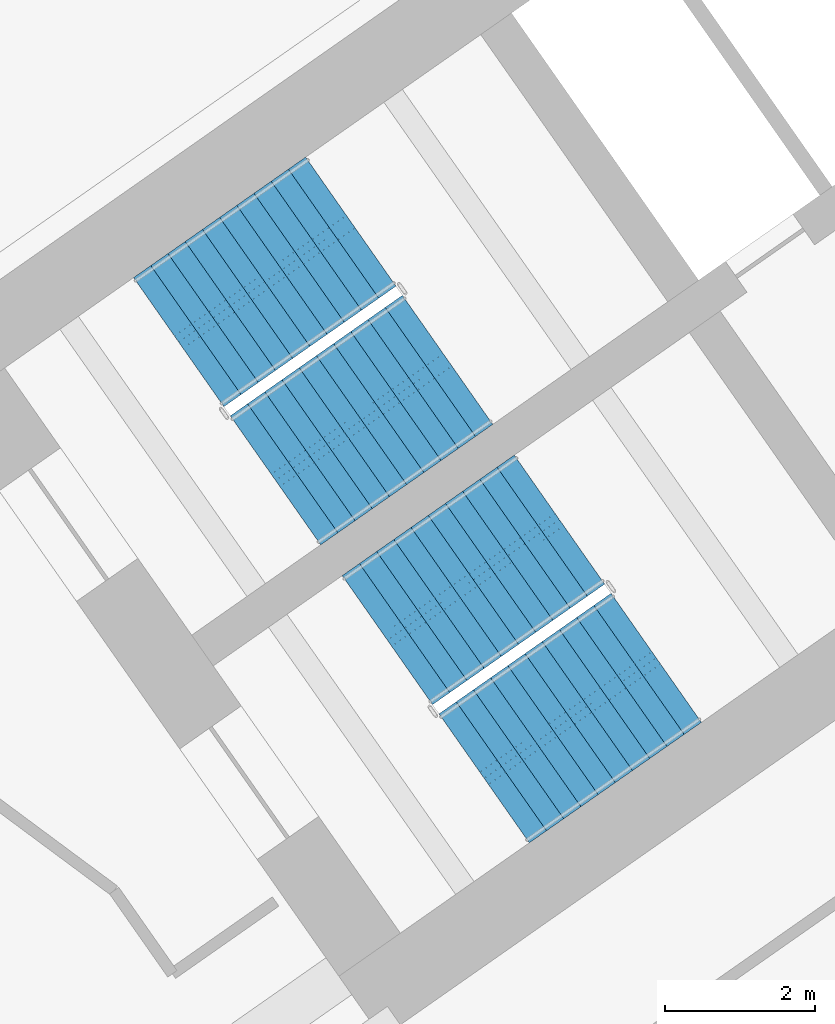
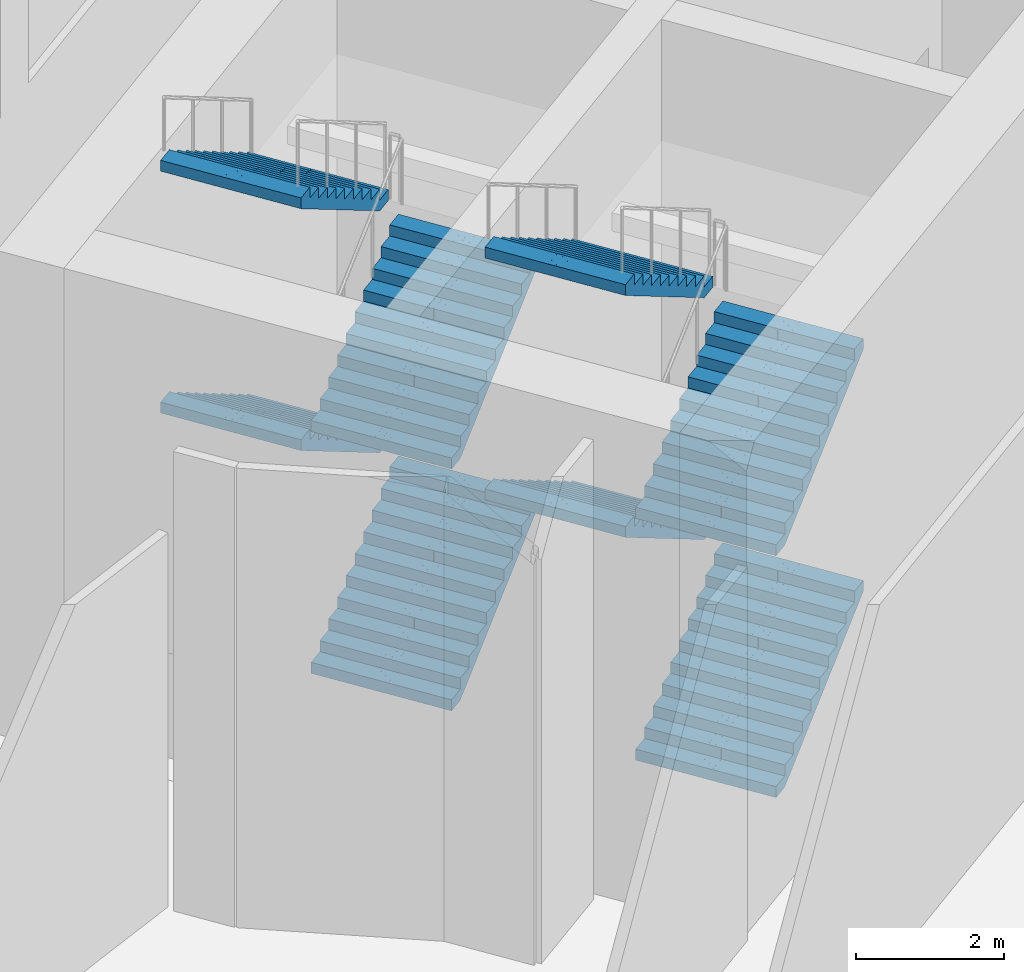
# One storey, part 17 of 27: 8 stair flights, 2 elements without a shape of their own.
"""IFC4 building model written with IfcOpenShell, lengths in metres."""

from ifc_helpers import new_model, si_unit, direction, frame, origin, place, context, subcontext, project, spatial, polyline, outline, extrude, material, type_object, element, aggregate, save


model = new_model("IFC4")

# Units and contexts
model_context = context("Model", 3, precision=1e-05, world=origin(), true_north=direction((0.0, 1.0)))
body_context = subcontext(model_context, "Body", "Model", "MODEL_VIEW")
ifc_project = project(units=[si_unit("LENGTHUNIT", "METRE"), si_unit("AREAUNIT", "SQUARE_METRE"), si_unit("VOLUMEUNIT", "CUBIC_METRE"), si_unit("PLANEANGLEUNIT", "RADIAN"), si_unit("MASSUNIT", "GRAM", prefix="KILO")], contexts=[model_context])

# Site, building, storey
site_placement = place(None, origin())
site = spatial("IfcSite", under=ifc_project, at=site_placement, CompositionType="ELEMENT")
building_placement = place(site_placement, origin())
building = spatial("IfcBuilding", under=site, at=building_placement, Name="Tel Ilan Convention Tower", CompositionType="ELEMENT")
storey_placement = place(building_placement, frame((0.0, 0.0, 18.0)))
storey = spatial("IfcBuildingStorey", under=building, at=storey_placement, Name="L02", CompositionType="ELEMENT", Elevation=18.0)

# Stair, stair flights
ifc_material_1 = material(Name="Concrete C40/50", Category="concrete")
stair_type = type_object("IfcStairType", Name="Pressurised Exit Stair 44 risers 182 mm", PredefinedType="HALF_TURN_STAIR", material=ifc_material_1)
stair_1_placement = place(storey_placement, origin())
stair_1 = element("IfcStair", 1, at=stair_1_placement, inside=storey, type_object=stair_type, Name="L02 Pressurised Stair S1", PredefinedType="HALF_TURN_STAIR")
ifc_material_2 = material(Name="Precast Concrete C40/50", Category="concrete")
stair_flight_type = type_object("IfcStairFlightType", Name="Concrete Stair Flight 2100 mm 44 risers 182 mm", PredefinedType="STRAIGHT", material=ifc_material_2)
stair_flight_1_placement = place(storey_placement, frame((-22.9619140625, -8.87548828125, 0.0), z_axis=(0.0, 0.0, 1.0), x_axis=(0.819152044289, 0.573576436351, 0.0)))
stair_flight_1 = element("IfcStairFlight", 2, at=stair_flight_1_placement, type_object=stair_flight_type, Name="S1 flight 1", NumberOfRisers=11, NumberOfTreads=10, PredefinedType="STRAIGHT", RiserHeight=0.181818182, TreadLength=0.28, context=body_context, shape_type="SweptSolid", body=[
    extrude(outline(polyline([(0.0, 0.0), (0.0, 0.181884765625), (0.280029296875, 0.181884765625), (0.280029296875, 0.363525390625), (0.56005859375, 0.363525390625), (0.56005859375, 0.54541015625), (0.840087890625, 0.54541015625), (0.840087890625, 0.727294921875), (1.1201171875, 0.727294921875), (1.1201171875, 0.9091796875), (1.39990234375, 0.9091796875), (1.39990234375, 1.0908203125), (1.679931640625, 1.0908203125), (1.679931640625, 1.272705078125), (1.9599609375, 1.272705078125), (1.9599609375, 1.45458984375), (2.239990234375, 1.45458984375), (2.239990234375, 1.636474609375), (2.52001953125, 1.636474609375), (2.52001953125, 1.818115234375), (2.800048828125, 1.818115234375), (2.800048828125, 2.0), (2.800048828125, 1.639404296875), (0.275146484375, 0.0), (0.0, 0.0)])), frame((0.0, -0.100341796875, 0.0), z_axis=(0.0, -1.0, 0.0), x_axis=(1.0, 0.0, 0.0)), (0.0, 0.0, 1.0), 0.94970703125),
    extrude(outline(polyline([(0.0, 0.0), (0.0, 0.181884765625), (0.280029296875, 0.181884765625), (0.280029296875, 0.363525390625), (0.56005859375, 0.363525390625), (0.56005859375, 0.54541015625), (0.840087890625, 0.54541015625), (0.840087890625, 0.727294921875), (1.1201171875, 0.727294921875), (1.1201171875, 0.9091796875), (1.39990234375, 0.9091796875), (1.39990234375, 1.0908203125), (1.679931640625, 1.0908203125), (1.679931640625, 1.272705078125), (1.9599609375, 1.272705078125), (1.9599609375, 1.45458984375), (2.239990234375, 1.45458984375), (2.239990234375, 1.636474609375), (2.52001953125, 1.636474609375), (2.52001953125, 1.818115234375), (2.800048828125, 1.818115234375), (2.800048828125, 2.0), (2.800048828125, 1.639404296875), (0.275146484375, 0.0), (0.0, 0.0)])), frame((0.0, -0.000244140625, 0.0), z_axis=(0.0, -1.0, 0.0), x_axis=(1.0, 0.0, 0.0)), (0.0, 0.0, 1.0), 0.099609375),
    extrude(outline(polyline([(0.0, 0.0), (0.0, 0.181884765625), (0.280029296875, 0.181884765625), (0.280029296875, 0.363525390625), (0.56005859375, 0.363525390625), (0.56005859375, 0.54541015625), (0.840087890625, 0.54541015625), (0.840087890625, 0.727294921875), (1.1201171875, 0.727294921875), (1.1201171875, 0.9091796875), (1.39990234375, 0.9091796875), (1.39990234375, 1.0908203125), (1.679931640625, 1.0908203125), (1.679931640625, 1.272705078125), (1.9599609375, 1.272705078125), (1.9599609375, 1.45458984375), (2.239990234375, 1.45458984375), (2.239990234375, 1.636474609375), (2.52001953125, 1.636474609375), (2.52001953125, 1.818115234375), (2.800048828125, 1.818115234375), (2.800048828125, 2.0), (2.800048828125, 1.639404296875), (0.275146484375, 0.0), (0.0, 0.0)])), frame((0.0, 0.099853515625, 0.0), z_axis=(0.0, -1.0, 0.0), x_axis=(1.0, 0.0, 0.0)), (0.0, 0.0, 1.0), 0.099609375),
    extrude(outline(polyline([(0.0, 0.0), (0.0, 0.181884765625), (0.280029296875, 0.181884765625), (0.280029296875, 0.363525390625), (0.56005859375, 0.363525390625), (0.56005859375, 0.54541015625), (0.840087890625, 0.54541015625), (0.840087890625, 0.727294921875), (1.1201171875, 0.727294921875), (1.1201171875, 0.9091796875), (1.39990234375, 0.9091796875), (1.39990234375, 1.0908203125), (1.679931640625, 1.0908203125), (1.679931640625, 1.272705078125), (1.9599609375, 1.272705078125), (1.9599609375, 1.45458984375), (2.239990234375, 1.45458984375), (2.239990234375, 1.636474609375), (2.52001953125, 1.636474609375), (2.52001953125, 1.818115234375), (2.800048828125, 1.818115234375), (2.800048828125, 2.0), (2.800048828125, 1.639404296875), (0.275146484375, 0.0), (0.0, 0.0)])), frame((0.0, 1.050048828125, 0.0), z_axis=(0.0, -1.0, 0.0), x_axis=(1.0, 0.0, 0.0)), (0.0, 0.0, 1.0), 0.94970703125),
])
stair_flight_2_placement = place(storey_placement, frame((-21.958740234375, -5.42626953125, 2.0), z_axis=(0.0, 0.0, 1.0), x_axis=(-0.819152044289, -0.573576436351, 0.0)))
stair_flight_2 = element("IfcStairFlight", 3, at=stair_flight_2_placement, type_object=stair_flight_type, Name="S1 flight 2", NumberOfRisers=11, NumberOfTreads=10, PredefinedType="STRAIGHT", RiserHeight=0.181818182, TreadLength=0.28, context=body_context, shape_type="SweptSolid", body=[
    extrude(outline(polyline([(0.0, 0.0), (0.0, 0.181884765625), (0.280029296875, 0.181884765625), (0.280029296875, 0.363525390625), (0.56005859375, 0.363525390625), (0.56005859375, 0.54541015625), (0.840087890625, 0.54541015625), (0.840087890625, 0.727294921875), (1.1201171875, 0.727294921875), (1.1201171875, 0.9091796875), (1.39990234375, 0.9091796875), (1.39990234375, 1.0908203125), (1.679931640625, 1.0908203125), (1.679931640625, 1.272705078125), (1.9599609375, 1.272705078125), (1.9599609375, 1.45458984375), (2.239990234375, 1.45458984375), (2.239990234375, 1.636474609375), (2.52001953125, 1.636474609375), (2.52001953125, 1.818115234375), (2.800048828125, 1.818115234375), (2.800048828125, 2.0), (2.800048828125, 1.639404296875), (0.275146484375, 0.0), (0.0, 0.0)])), frame((0.0, -0.100341796875, 0.0), z_axis=(0.0, -1.0, 0.0), x_axis=(1.0, 0.0, 0.0)), (0.0, 0.0, 1.0), 0.94970703125),
    extrude(outline(polyline([(0.0, 0.0), (0.0, 0.181884765625), (0.280029296875, 0.181884765625), (0.280029296875, 0.363525390625), (0.56005859375, 0.363525390625), (0.56005859375, 0.54541015625), (0.840087890625, 0.54541015625), (0.840087890625, 0.727294921875), (1.1201171875, 0.727294921875), (1.1201171875, 0.9091796875), (1.39990234375, 0.9091796875), (1.39990234375, 1.0908203125), (1.679931640625, 1.0908203125), (1.679931640625, 1.272705078125), (1.9599609375, 1.272705078125), (1.9599609375, 1.45458984375), (2.239990234375, 1.45458984375), (2.239990234375, 1.636474609375), (2.52001953125, 1.636474609375), (2.52001953125, 1.818115234375), (2.800048828125, 1.818115234375), (2.800048828125, 2.0), (2.800048828125, 1.639404296875), (0.275146484375, 0.0), (0.0, 0.0)])), frame((0.0, -0.000244140625, 0.0), z_axis=(0.0, -1.0, 0.0), x_axis=(1.0, 0.0, 0.0)), (0.0, 0.0, 1.0), 0.099609375),
    extrude(outline(polyline([(0.0, 0.0), (0.0, 0.181884765625), (0.280029296875, 0.181884765625), (0.280029296875, 0.363525390625), (0.56005859375, 0.363525390625), (0.56005859375, 0.54541015625), (0.840087890625, 0.54541015625), (0.840087890625, 0.727294921875), (1.1201171875, 0.727294921875), (1.1201171875, 0.9091796875), (1.39990234375, 0.9091796875), (1.39990234375, 1.0908203125), (1.679931640625, 1.0908203125), (1.679931640625, 1.272705078125), (1.9599609375, 1.272705078125), (1.9599609375, 1.45458984375), (2.239990234375, 1.45458984375), (2.239990234375, 1.636474609375), (2.52001953125, 1.636474609375), (2.52001953125, 1.818115234375), (2.800048828125, 1.818115234375), (2.800048828125, 2.0), (2.800048828125, 1.639404296875), (0.275146484375, 0.0), (0.0, 0.0)])), frame((0.0, 0.099853515625, 0.0), z_axis=(0.0, -1.0, 0.0), x_axis=(1.0, 0.0, 0.0)), (0.0, 0.0, 1.0), 0.099609375),
    extrude(outline(polyline([(0.0, 0.0), (0.0, 0.181884765625), (0.280029296875, 0.181884765625), (0.280029296875, 0.363525390625), (0.56005859375, 0.363525390625), (0.56005859375, 0.54541015625), (0.840087890625, 0.54541015625), (0.840087890625, 0.727294921875), (1.1201171875, 0.727294921875), (1.1201171875, 0.9091796875), (1.39990234375, 0.9091796875), (1.39990234375, 1.0908203125), (1.679931640625, 1.0908203125), (1.679931640625, 1.272705078125), (1.9599609375, 1.272705078125), (1.9599609375, 1.45458984375), (2.239990234375, 1.45458984375), (2.239990234375, 1.636474609375), (2.52001953125, 1.636474609375), (2.52001953125, 1.818115234375), (2.800048828125, 1.818115234375), (2.800048828125, 2.0), (2.800048828125, 1.639404296875), (0.275146484375, 0.0), (0.0, 0.0)])), frame((0.0, 1.050048828125, 0.0), z_axis=(0.0, -1.0, 0.0), x_axis=(1.0, 0.0, 0.0)), (0.0, 0.0, 1.0), 0.94970703125),
])
stair_flight_3_placement = place(storey_placement, frame((-22.9619140625, -8.87548828125, 4.0), z_axis=(0.0, 0.0, 1.0), x_axis=(0.819152044289, 0.573576436351, 0.0)))
stair_flight_3 = element("IfcStairFlight", 4, at=stair_flight_3_placement, type_object=stair_flight_type, Name="S1 flight 3", NumberOfRisers=11, NumberOfTreads=10, PredefinedType="STRAIGHT", RiserHeight=0.181818182, TreadLength=0.28, context=body_context, shape_type="SweptSolid", body=[
    extrude(outline(polyline([(0.0, 0.0), (0.0, 0.181884765625), (0.280029296875, 0.181884765625), (0.280029296875, 0.363525390625), (0.56005859375, 0.363525390625), (0.56005859375, 0.54541015625), (0.840087890625, 0.54541015625), (0.840087890625, 0.727294921875), (1.1201171875, 0.727294921875), (1.1201171875, 0.9091796875), (1.39990234375, 0.9091796875), (1.39990234375, 1.0908203125), (1.679931640625, 1.0908203125), (1.679931640625, 1.272705078125), (1.9599609375, 1.272705078125), (1.9599609375, 1.45458984375), (2.239990234375, 1.45458984375), (2.239990234375, 1.636474609375), (2.52001953125, 1.636474609375), (2.52001953125, 1.818115234375), (2.800048828125, 1.818115234375), (2.800048828125, 2.0), (2.800048828125, 1.639404296875), (0.275146484375, 0.0), (0.0, 0.0)])), frame((0.0, -0.100341796875, 0.0), z_axis=(0.0, -1.0, 0.0), x_axis=(1.0, 0.0, 0.0)), (0.0, 0.0, 1.0), 0.94970703125),
    extrude(outline(polyline([(0.0, 0.0), (0.0, 0.181884765625), (0.280029296875, 0.181884765625), (0.280029296875, 0.363525390625), (0.56005859375, 0.363525390625), (0.56005859375, 0.54541015625), (0.840087890625, 0.54541015625), (0.840087890625, 0.727294921875), (1.1201171875, 0.727294921875), (1.1201171875, 0.9091796875), (1.39990234375, 0.9091796875), (1.39990234375, 1.0908203125), (1.679931640625, 1.0908203125), (1.679931640625, 1.272705078125), (1.9599609375, 1.272705078125), (1.9599609375, 1.45458984375), (2.239990234375, 1.45458984375), (2.239990234375, 1.636474609375), (2.52001953125, 1.636474609375), (2.52001953125, 1.818115234375), (2.800048828125, 1.818115234375), (2.800048828125, 2.0), (2.800048828125, 1.639404296875), (0.275146484375, 0.0), (0.0, 0.0)])), frame((0.0, -0.000244140625, 0.0), z_axis=(0.0, -1.0, 0.0), x_axis=(1.0, 0.0, 0.0)), (0.0, 0.0, 1.0), 0.099609375),
    extrude(outline(polyline([(0.0, 0.0), (0.0, 0.181884765625), (0.280029296875, 0.181884765625), (0.280029296875, 0.363525390625), (0.56005859375, 0.363525390625), (0.56005859375, 0.54541015625), (0.840087890625, 0.54541015625), (0.840087890625, 0.727294921875), (1.1201171875, 0.727294921875), (1.1201171875, 0.9091796875), (1.39990234375, 0.9091796875), (1.39990234375, 1.0908203125), (1.679931640625, 1.0908203125), (1.679931640625, 1.272705078125), (1.9599609375, 1.272705078125), (1.9599609375, 1.45458984375), (2.239990234375, 1.45458984375), (2.239990234375, 1.636474609375), (2.52001953125, 1.636474609375), (2.52001953125, 1.818115234375), (2.800048828125, 1.818115234375), (2.800048828125, 2.0), (2.800048828125, 1.639404296875), (0.275146484375, 0.0), (0.0, 0.0)])), frame((0.0, 0.099853515625, 0.0), z_axis=(0.0, -1.0, 0.0), x_axis=(1.0, 0.0, 0.0)), (0.0, 0.0, 1.0), 0.099609375),
    extrude(outline(polyline([(0.0, 0.0), (0.0, 0.181884765625), (0.280029296875, 0.181884765625), (0.280029296875, 0.363525390625), (0.56005859375, 0.363525390625), (0.56005859375, 0.54541015625), (0.840087890625, 0.54541015625), (0.840087890625, 0.727294921875), (1.1201171875, 0.727294921875), (1.1201171875, 0.9091796875), (1.39990234375, 0.9091796875), (1.39990234375, 1.0908203125), (1.679931640625, 1.0908203125), (1.679931640625, 1.272705078125), (1.9599609375, 1.272705078125), (1.9599609375, 1.45458984375), (2.239990234375, 1.45458984375), (2.239990234375, 1.636474609375), (2.52001953125, 1.636474609375), (2.52001953125, 1.818115234375), (2.800048828125, 1.818115234375), (2.800048828125, 2.0), (2.800048828125, 1.639404296875), (0.275146484375, 0.0), (0.0, 0.0)])), frame((0.0, 1.050048828125, 0.0), z_axis=(0.0, -1.0, 0.0), x_axis=(1.0, 0.0, 0.0)), (0.0, 0.0, 1.0), 0.94970703125),
])
stair_flight_4_placement = place(storey_placement, frame((-21.958740234375, -5.42626953125, 6.0), z_axis=(0.0, 0.0, 1.0), x_axis=(-0.819152044289, -0.573576436351, 0.0)))
stair_flight_4 = element("IfcStairFlight", 5, at=stair_flight_4_placement, type_object=stair_flight_type, Name="S1 flight 4", NumberOfRisers=11, NumberOfTreads=10, PredefinedType="STRAIGHT", RiserHeight=0.181818182, TreadLength=0.28, context=body_context, shape_type="SweptSolid", body=[
    extrude(outline(polyline([(0.0, 0.0), (0.0, 0.181884765625), (0.280029296875, 0.181884765625), (0.280029296875, 0.363525390625), (0.56005859375, 0.363525390625), (0.56005859375, 0.54541015625), (0.840087890625, 0.54541015625), (0.840087890625, 0.727294921875), (1.1201171875, 0.727294921875), (1.1201171875, 0.9091796875), (1.39990234375, 0.9091796875), (1.39990234375, 1.0908203125), (1.679931640625, 1.0908203125), (1.679931640625, 1.272705078125), (1.9599609375, 1.272705078125), (1.9599609375, 1.45458984375), (2.239990234375, 1.45458984375), (2.239990234375, 1.636474609375), (2.52001953125, 1.636474609375), (2.52001953125, 1.818115234375), (2.800048828125, 1.818115234375), (2.800048828125, 2.0), (2.800048828125, 1.639404296875), (0.275146484375, 0.0), (0.0, 0.0)])), frame((0.0, -0.100341796875, 0.0), z_axis=(0.0, -1.0, 0.0), x_axis=(1.0, 0.0, 0.0)), (0.0, 0.0, 1.0), 0.94970703125),
    extrude(outline(polyline([(0.0, 0.0), (0.0, 0.181884765625), (0.280029296875, 0.181884765625), (0.280029296875, 0.363525390625), (0.56005859375, 0.363525390625), (0.56005859375, 0.54541015625), (0.840087890625, 0.54541015625), (0.840087890625, 0.727294921875), (1.1201171875, 0.727294921875), (1.1201171875, 0.9091796875), (1.39990234375, 0.9091796875), (1.39990234375, 1.0908203125), (1.679931640625, 1.0908203125), (1.679931640625, 1.272705078125), (1.9599609375, 1.272705078125), (1.9599609375, 1.45458984375), (2.239990234375, 1.45458984375), (2.239990234375, 1.636474609375), (2.52001953125, 1.636474609375), (2.52001953125, 1.818115234375), (2.800048828125, 1.818115234375), (2.800048828125, 2.0), (2.800048828125, 1.639404296875), (0.275146484375, 0.0), (0.0, 0.0)])), frame((0.0, -0.000244140625, 0.0), z_axis=(0.0, -1.0, 0.0), x_axis=(1.0, 0.0, 0.0)), (0.0, 0.0, 1.0), 0.099609375),
    extrude(outline(polyline([(0.0, 0.0), (0.0, 0.181884765625), (0.280029296875, 0.181884765625), (0.280029296875, 0.363525390625), (0.56005859375, 0.363525390625), (0.56005859375, 0.54541015625), (0.840087890625, 0.54541015625), (0.840087890625, 0.727294921875), (1.1201171875, 0.727294921875), (1.1201171875, 0.9091796875), (1.39990234375, 0.9091796875), (1.39990234375, 1.0908203125), (1.679931640625, 1.0908203125), (1.679931640625, 1.272705078125), (1.9599609375, 1.272705078125), (1.9599609375, 1.45458984375), (2.239990234375, 1.45458984375), (2.239990234375, 1.636474609375), (2.52001953125, 1.636474609375), (2.52001953125, 1.818115234375), (2.800048828125, 1.818115234375), (2.800048828125, 2.0), (2.800048828125, 1.639404296875), (0.275146484375, 0.0), (0.0, 0.0)])), frame((0.0, 0.099853515625, 0.0), z_axis=(0.0, -1.0, 0.0), x_axis=(1.0, 0.0, 0.0)), (0.0, 0.0, 1.0), 0.099609375),
    extrude(outline(polyline([(0.0, 0.0), (0.0, 0.181884765625), (0.280029296875, 0.181884765625), (0.280029296875, 0.363525390625), (0.56005859375, 0.363525390625), (0.56005859375, 0.54541015625), (0.840087890625, 0.54541015625), (0.840087890625, 0.727294921875), (1.1201171875, 0.727294921875), (1.1201171875, 0.9091796875), (1.39990234375, 0.9091796875), (1.39990234375, 1.0908203125), (1.679931640625, 1.0908203125), (1.679931640625, 1.272705078125), (1.9599609375, 1.272705078125), (1.9599609375, 1.45458984375), (2.239990234375, 1.45458984375), (2.239990234375, 1.636474609375), (2.52001953125, 1.636474609375), (2.52001953125, 1.818115234375), (2.800048828125, 1.818115234375), (2.800048828125, 2.0), (2.800048828125, 1.639404296875), (0.275146484375, 0.0), (0.0, 0.0)])), frame((0.0, 1.050048828125, 0.0), z_axis=(0.0, -1.0, 0.0), x_axis=(1.0, 0.0, 0.0)), (0.0, 0.0, 1.0), 0.94970703125),
])
aggregate(stair_1, [stair_flight_1, stair_flight_2, stair_flight_3, stair_flight_4])

stair_2_placement = place(storey_placement, origin())
stair_2 = element("IfcStair", 6, at=stair_2_placement, inside=storey, type_object=stair_type, Name="L02 Pressurised Stair S2", PredefinedType="HALF_TURN_STAIR")
stair_flight_5_placement = place(storey_placement, frame((-20.179931640625, -12.848388671875, 0.0), z_axis=(0.0, 0.0, 1.0), x_axis=(0.819152044289, 0.573576436351, 0.0)))
stair_flight_5 = element("IfcStairFlight", 7, at=stair_flight_5_placement, type_object=stair_flight_type, Name="S2 flight 1", NumberOfRisers=11, NumberOfTreads=10, PredefinedType="STRAIGHT", RiserHeight=0.181818182, TreadLength=0.28, context=body_context, shape_type="SweptSolid", body=[
    extrude(outline(polyline([(0.0, 0.0), (0.0, 0.181884765625), (0.280029296875, 0.181884765625), (0.280029296875, 0.363525390625), (0.56005859375, 0.363525390625), (0.56005859375, 0.54541015625), (0.840087890625, 0.54541015625), (0.840087890625, 0.727294921875), (1.1201171875, 0.727294921875), (1.1201171875, 0.9091796875), (1.39990234375, 0.9091796875), (1.39990234375, 1.0908203125), (1.679931640625, 1.0908203125), (1.679931640625, 1.272705078125), (1.9599609375, 1.272705078125), (1.9599609375, 1.45458984375), (2.239990234375, 1.45458984375), (2.239990234375, 1.636474609375), (2.52001953125, 1.636474609375), (2.52001953125, 1.818115234375), (2.800048828125, 1.818115234375), (2.800048828125, 2.0), (2.800048828125, 1.639404296875), (0.275146484375, 0.0), (0.0, 0.0)])), frame((0.0, -0.100341796875, 0.0), z_axis=(0.0, -1.0, 0.0), x_axis=(1.0, 0.0, 0.0)), (0.0, 0.0, 1.0), 0.94970703125),
    extrude(outline(polyline([(0.0, 0.0), (0.0, 0.181884765625), (0.280029296875, 0.181884765625), (0.280029296875, 0.363525390625), (0.56005859375, 0.363525390625), (0.56005859375, 0.54541015625), (0.840087890625, 0.54541015625), (0.840087890625, 0.727294921875), (1.1201171875, 0.727294921875), (1.1201171875, 0.9091796875), (1.39990234375, 0.9091796875), (1.39990234375, 1.0908203125), (1.679931640625, 1.0908203125), (1.679931640625, 1.272705078125), (1.9599609375, 1.272705078125), (1.9599609375, 1.45458984375), (2.239990234375, 1.45458984375), (2.239990234375, 1.636474609375), (2.52001953125, 1.636474609375), (2.52001953125, 1.818115234375), (2.800048828125, 1.818115234375), (2.800048828125, 2.0), (2.800048828125, 1.639404296875), (0.275146484375, 0.0), (0.0, 0.0)])), frame((0.0, -0.000244140625, 0.0), z_axis=(0.0, -1.0, 0.0), x_axis=(1.0, 0.0, 0.0)), (0.0, 0.0, 1.0), 0.099609375),
    extrude(outline(polyline([(0.0, 0.0), (0.0, 0.181884765625), (0.280029296875, 0.181884765625), (0.280029296875, 0.363525390625), (0.56005859375, 0.363525390625), (0.56005859375, 0.54541015625), (0.840087890625, 0.54541015625), (0.840087890625, 0.727294921875), (1.1201171875, 0.727294921875), (1.1201171875, 0.9091796875), (1.39990234375, 0.9091796875), (1.39990234375, 1.0908203125), (1.679931640625, 1.0908203125), (1.679931640625, 1.272705078125), (1.9599609375, 1.272705078125), (1.9599609375, 1.45458984375), (2.239990234375, 1.45458984375), (2.239990234375, 1.636474609375), (2.52001953125, 1.636474609375), (2.52001953125, 1.818115234375), (2.800048828125, 1.818115234375), (2.800048828125, 2.0), (2.800048828125, 1.639404296875), (0.275146484375, 0.0), (0.0, 0.0)])), frame((0.0, 0.099853515625, 0.0), z_axis=(0.0, -1.0, 0.0), x_axis=(1.0, 0.0, 0.0)), (0.0, 0.0, 1.0), 0.099609375),
    extrude(outline(polyline([(0.0, 0.0), (0.0, 0.181884765625), (0.280029296875, 0.181884765625), (0.280029296875, 0.363525390625), (0.56005859375, 0.363525390625), (0.56005859375, 0.54541015625), (0.840087890625, 0.54541015625), (0.840087890625, 0.727294921875), (1.1201171875, 0.727294921875), (1.1201171875, 0.9091796875), (1.39990234375, 0.9091796875), (1.39990234375, 1.0908203125), (1.679931640625, 1.0908203125), (1.679931640625, 1.272705078125), (1.9599609375, 1.272705078125), (1.9599609375, 1.45458984375), (2.239990234375, 1.45458984375), (2.239990234375, 1.636474609375), (2.52001953125, 1.636474609375), (2.52001953125, 1.818115234375), (2.800048828125, 1.818115234375), (2.800048828125, 2.0), (2.800048828125, 1.639404296875), (0.275146484375, 0.0), (0.0, 0.0)])), frame((0.0, 1.050048828125, 0.0), z_axis=(0.0, -1.0, 0.0), x_axis=(1.0, 0.0, 0.0)), (0.0, 0.0, 1.0), 0.94970703125),
])
stair_flight_6_placement = place(storey_placement, frame((-19.177001953125, -9.399169921875, 2.0), z_axis=(0.0, 0.0, 1.0), x_axis=(-0.819152044289, -0.573576436351, 0.0)))
stair_flight_6 = element("IfcStairFlight", 8, at=stair_flight_6_placement, type_object=stair_flight_type, Name="S2 flight 2", NumberOfRisers=11, NumberOfTreads=10, PredefinedType="STRAIGHT", RiserHeight=0.181818182, TreadLength=0.28, context=body_context, shape_type="SweptSolid", body=[
    extrude(outline(polyline([(0.0, 0.0), (0.0, 0.181884765625), (0.280029296875, 0.181884765625), (0.280029296875, 0.363525390625), (0.56005859375, 0.363525390625), (0.56005859375, 0.54541015625), (0.840087890625, 0.54541015625), (0.840087890625, 0.727294921875), (1.1201171875, 0.727294921875), (1.1201171875, 0.9091796875), (1.39990234375, 0.9091796875), (1.39990234375, 1.0908203125), (1.679931640625, 1.0908203125), (1.679931640625, 1.272705078125), (1.9599609375, 1.272705078125), (1.9599609375, 1.45458984375), (2.239990234375, 1.45458984375), (2.239990234375, 1.636474609375), (2.52001953125, 1.636474609375), (2.52001953125, 1.818115234375), (2.800048828125, 1.818115234375), (2.800048828125, 2.0), (2.800048828125, 1.639404296875), (0.275146484375, 0.0), (0.0, 0.0)])), frame((0.0, -0.100341796875, 0.0), z_axis=(0.0, -1.0, 0.0), x_axis=(1.0, 0.0, 0.0)), (0.0, 0.0, 1.0), 0.94970703125),
    extrude(outline(polyline([(0.0, 0.0), (0.0, 0.181884765625), (0.280029296875, 0.181884765625), (0.280029296875, 0.363525390625), (0.56005859375, 0.363525390625), (0.56005859375, 0.54541015625), (0.840087890625, 0.54541015625), (0.840087890625, 0.727294921875), (1.1201171875, 0.727294921875), (1.1201171875, 0.9091796875), (1.39990234375, 0.9091796875), (1.39990234375, 1.0908203125), (1.679931640625, 1.0908203125), (1.679931640625, 1.272705078125), (1.9599609375, 1.272705078125), (1.9599609375, 1.45458984375), (2.239990234375, 1.45458984375), (2.239990234375, 1.636474609375), (2.52001953125, 1.636474609375), (2.52001953125, 1.818115234375), (2.800048828125, 1.818115234375), (2.800048828125, 2.0), (2.800048828125, 1.639404296875), (0.275146484375, 0.0), (0.0, 0.0)])), frame((0.0, -0.000244140625, 0.0), z_axis=(0.0, -1.0, 0.0), x_axis=(1.0, 0.0, 0.0)), (0.0, 0.0, 1.0), 0.099609375),
    extrude(outline(polyline([(0.0, 0.0), (0.0, 0.181884765625), (0.280029296875, 0.181884765625), (0.280029296875, 0.363525390625), (0.56005859375, 0.363525390625), (0.56005859375, 0.54541015625), (0.840087890625, 0.54541015625), (0.840087890625, 0.727294921875), (1.1201171875, 0.727294921875), (1.1201171875, 0.9091796875), (1.39990234375, 0.9091796875), (1.39990234375, 1.0908203125), (1.679931640625, 1.0908203125), (1.679931640625, 1.272705078125), (1.9599609375, 1.272705078125), (1.9599609375, 1.45458984375), (2.239990234375, 1.45458984375), (2.239990234375, 1.636474609375), (2.52001953125, 1.636474609375), (2.52001953125, 1.818115234375), (2.800048828125, 1.818115234375), (2.800048828125, 2.0), (2.800048828125, 1.639404296875), (0.275146484375, 0.0), (0.0, 0.0)])), frame((0.0, 0.099853515625, 0.0), z_axis=(0.0, -1.0, 0.0), x_axis=(1.0, 0.0, 0.0)), (0.0, 0.0, 1.0), 0.099609375),
    extrude(outline(polyline([(0.0, 0.0), (0.0, 0.181884765625), (0.280029296875, 0.181884765625), (0.280029296875, 0.363525390625), (0.56005859375, 0.363525390625), (0.56005859375, 0.54541015625), (0.840087890625, 0.54541015625), (0.840087890625, 0.727294921875), (1.1201171875, 0.727294921875), (1.1201171875, 0.9091796875), (1.39990234375, 0.9091796875), (1.39990234375, 1.0908203125), (1.679931640625, 1.0908203125), (1.679931640625, 1.272705078125), (1.9599609375, 1.272705078125), (1.9599609375, 1.45458984375), (2.239990234375, 1.45458984375), (2.239990234375, 1.636474609375), (2.52001953125, 1.636474609375), (2.52001953125, 1.818115234375), (2.800048828125, 1.818115234375), (2.800048828125, 2.0), (2.800048828125, 1.639404296875), (0.275146484375, 0.0), (0.0, 0.0)])), frame((0.0, 1.050048828125, 0.0), z_axis=(0.0, -1.0, 0.0), x_axis=(1.0, 0.0, 0.0)), (0.0, 0.0, 1.0), 0.94970703125),
])
stair_flight_7_placement = place(storey_placement, frame((-20.179931640625, -12.848388671875, 4.0), z_axis=(0.0, 0.0, 1.0), x_axis=(0.819152044289, 0.573576436351, 0.0)))
stair_flight_7 = element("IfcStairFlight", 9, at=stair_flight_7_placement, type_object=stair_flight_type, Name="S2 flight 3", NumberOfRisers=11, NumberOfTreads=10, PredefinedType="STRAIGHT", RiserHeight=0.181818182, TreadLength=0.28, context=body_context, shape_type="SweptSolid", body=[
    extrude(outline(polyline([(0.0, 0.0), (0.0, 0.181884765625), (0.280029296875, 0.181884765625), (0.280029296875, 0.363525390625), (0.56005859375, 0.363525390625), (0.56005859375, 0.54541015625), (0.840087890625, 0.54541015625), (0.840087890625, 0.727294921875), (1.1201171875, 0.727294921875), (1.1201171875, 0.9091796875), (1.39990234375, 0.9091796875), (1.39990234375, 1.0908203125), (1.679931640625, 1.0908203125), (1.679931640625, 1.272705078125), (1.9599609375, 1.272705078125), (1.9599609375, 1.45458984375), (2.239990234375, 1.45458984375), (2.239990234375, 1.636474609375), (2.52001953125, 1.636474609375), (2.52001953125, 1.818115234375), (2.800048828125, 1.818115234375), (2.800048828125, 2.0), (2.800048828125, 1.639404296875), (0.275146484375, 0.0), (0.0, 0.0)])), frame((0.0, -0.100341796875, 0.0), z_axis=(0.0, -1.0, 0.0), x_axis=(1.0, 0.0, 0.0)), (0.0, 0.0, 1.0), 0.94970703125),
    extrude(outline(polyline([(0.0, 0.0), (0.0, 0.181884765625), (0.280029296875, 0.181884765625), (0.280029296875, 0.363525390625), (0.56005859375, 0.363525390625), (0.56005859375, 0.54541015625), (0.840087890625, 0.54541015625), (0.840087890625, 0.727294921875), (1.1201171875, 0.727294921875), (1.1201171875, 0.9091796875), (1.39990234375, 0.9091796875), (1.39990234375, 1.0908203125), (1.679931640625, 1.0908203125), (1.679931640625, 1.272705078125), (1.9599609375, 1.272705078125), (1.9599609375, 1.45458984375), (2.239990234375, 1.45458984375), (2.239990234375, 1.636474609375), (2.52001953125, 1.636474609375), (2.52001953125, 1.818115234375), (2.800048828125, 1.818115234375), (2.800048828125, 2.0), (2.800048828125, 1.639404296875), (0.275146484375, 0.0), (0.0, 0.0)])), frame((0.0, -0.000244140625, 0.0), z_axis=(0.0, -1.0, 0.0), x_axis=(1.0, 0.0, 0.0)), (0.0, 0.0, 1.0), 0.099609375),
    extrude(outline(polyline([(0.0, 0.0), (0.0, 0.181884765625), (0.280029296875, 0.181884765625), (0.280029296875, 0.363525390625), (0.56005859375, 0.363525390625), (0.56005859375, 0.54541015625), (0.840087890625, 0.54541015625), (0.840087890625, 0.727294921875), (1.1201171875, 0.727294921875), (1.1201171875, 0.9091796875), (1.39990234375, 0.9091796875), (1.39990234375, 1.0908203125), (1.679931640625, 1.0908203125), (1.679931640625, 1.272705078125), (1.9599609375, 1.272705078125), (1.9599609375, 1.45458984375), (2.239990234375, 1.45458984375), (2.239990234375, 1.636474609375), (2.52001953125, 1.636474609375), (2.52001953125, 1.818115234375), (2.800048828125, 1.818115234375), (2.800048828125, 2.0), (2.800048828125, 1.639404296875), (0.275146484375, 0.0), (0.0, 0.0)])), frame((0.0, 0.099853515625, 0.0), z_axis=(0.0, -1.0, 0.0), x_axis=(1.0, 0.0, 0.0)), (0.0, 0.0, 1.0), 0.099609375),
    extrude(outline(polyline([(0.0, 0.0), (0.0, 0.181884765625), (0.280029296875, 0.181884765625), (0.280029296875, 0.363525390625), (0.56005859375, 0.363525390625), (0.56005859375, 0.54541015625), (0.840087890625, 0.54541015625), (0.840087890625, 0.727294921875), (1.1201171875, 0.727294921875), (1.1201171875, 0.9091796875), (1.39990234375, 0.9091796875), (1.39990234375, 1.0908203125), (1.679931640625, 1.0908203125), (1.679931640625, 1.272705078125), (1.9599609375, 1.272705078125), (1.9599609375, 1.45458984375), (2.239990234375, 1.45458984375), (2.239990234375, 1.636474609375), (2.52001953125, 1.636474609375), (2.52001953125, 1.818115234375), (2.800048828125, 1.818115234375), (2.800048828125, 2.0), (2.800048828125, 1.639404296875), (0.275146484375, 0.0), (0.0, 0.0)])), frame((0.0, 1.050048828125, 0.0), z_axis=(0.0, -1.0, 0.0), x_axis=(1.0, 0.0, 0.0)), (0.0, 0.0, 1.0), 0.94970703125),
])
stair_flight_8_placement = place(storey_placement, frame((-19.177001953125, -9.399169921875, 6.0), z_axis=(0.0, 0.0, 1.0), x_axis=(-0.819152044289, -0.573576436351, 0.0)))
stair_flight_8 = element("IfcStairFlight", 10, at=stair_flight_8_placement, type_object=stair_flight_type, Name="S2 flight 4", NumberOfRisers=11, NumberOfTreads=10, PredefinedType="STRAIGHT", RiserHeight=0.181818182, TreadLength=0.28, context=body_context, shape_type="SweptSolid", body=[
    extrude(outline(polyline([(0.0, 0.0), (0.0, 0.181884765625), (0.280029296875, 0.181884765625), (0.280029296875, 0.363525390625), (0.56005859375, 0.363525390625), (0.56005859375, 0.54541015625), (0.840087890625, 0.54541015625), (0.840087890625, 0.727294921875), (1.1201171875, 0.727294921875), (1.1201171875, 0.9091796875), (1.39990234375, 0.9091796875), (1.39990234375, 1.0908203125), (1.679931640625, 1.0908203125), (1.679931640625, 1.272705078125), (1.9599609375, 1.272705078125), (1.9599609375, 1.45458984375), (2.239990234375, 1.45458984375), (2.239990234375, 1.636474609375), (2.52001953125, 1.636474609375), (2.52001953125, 1.818115234375), (2.800048828125, 1.818115234375), (2.800048828125, 2.0), (2.800048828125, 1.639404296875), (0.275146484375, 0.0), (0.0, 0.0)])), frame((0.0, -0.100341796875, 0.0), z_axis=(0.0, -1.0, 0.0), x_axis=(1.0, 0.0, 0.0)), (0.0, 0.0, 1.0), 0.94970703125),
    extrude(outline(polyline([(0.0, 0.0), (0.0, 0.181884765625), (0.280029296875, 0.181884765625), (0.280029296875, 0.363525390625), (0.56005859375, 0.363525390625), (0.56005859375, 0.54541015625), (0.840087890625, 0.54541015625), (0.840087890625, 0.727294921875), (1.1201171875, 0.727294921875), (1.1201171875, 0.9091796875), (1.39990234375, 0.9091796875), (1.39990234375, 1.0908203125), (1.679931640625, 1.0908203125), (1.679931640625, 1.272705078125), (1.9599609375, 1.272705078125), (1.9599609375, 1.45458984375), (2.239990234375, 1.45458984375), (2.239990234375, 1.636474609375), (2.52001953125, 1.636474609375), (2.52001953125, 1.818115234375), (2.800048828125, 1.818115234375), (2.800048828125, 2.0), (2.800048828125, 1.639404296875), (0.275146484375, 0.0), (0.0, 0.0)])), frame((0.0, -0.000244140625, 0.0), z_axis=(0.0, -1.0, 0.0), x_axis=(1.0, 0.0, 0.0)), (0.0, 0.0, 1.0), 0.099609375),
    extrude(outline(polyline([(0.0, 0.0), (0.0, 0.181884765625), (0.280029296875, 0.181884765625), (0.280029296875, 0.363525390625), (0.56005859375, 0.363525390625), (0.56005859375, 0.54541015625), (0.840087890625, 0.54541015625), (0.840087890625, 0.727294921875), (1.1201171875, 0.727294921875), (1.1201171875, 0.9091796875), (1.39990234375, 0.9091796875), (1.39990234375, 1.0908203125), (1.679931640625, 1.0908203125), (1.679931640625, 1.272705078125), (1.9599609375, 1.272705078125), (1.9599609375, 1.45458984375), (2.239990234375, 1.45458984375), (2.239990234375, 1.636474609375), (2.52001953125, 1.636474609375), (2.52001953125, 1.818115234375), (2.800048828125, 1.818115234375), (2.800048828125, 2.0), (2.800048828125, 1.639404296875), (0.275146484375, 0.0), (0.0, 0.0)])), frame((0.0, 0.099853515625, 0.0), z_axis=(0.0, -1.0, 0.0), x_axis=(1.0, 0.0, 0.0)), (0.0, 0.0, 1.0), 0.099609375),
    extrude(outline(polyline([(0.0, 0.0), (0.0, 0.181884765625), (0.280029296875, 0.181884765625), (0.280029296875, 0.363525390625), (0.56005859375, 0.363525390625), (0.56005859375, 0.54541015625), (0.840087890625, 0.54541015625), (0.840087890625, 0.727294921875), (1.1201171875, 0.727294921875), (1.1201171875, 0.9091796875), (1.39990234375, 0.9091796875), (1.39990234375, 1.0908203125), (1.679931640625, 1.0908203125), (1.679931640625, 1.272705078125), (1.9599609375, 1.272705078125), (1.9599609375, 1.45458984375), (2.239990234375, 1.45458984375), (2.239990234375, 1.636474609375), (2.52001953125, 1.636474609375), (2.52001953125, 1.818115234375), (2.800048828125, 1.818115234375), (2.800048828125, 2.0), (2.800048828125, 1.639404296875), (0.275146484375, 0.0), (0.0, 0.0)])), frame((0.0, 1.050048828125, 0.0), z_axis=(0.0, -1.0, 0.0), x_axis=(1.0, 0.0, 0.0)), (0.0, 0.0, 1.0), 0.94970703125),
])
aggregate(stair_2, [stair_flight_5, stair_flight_6, stair_flight_7, stair_flight_8])

save(model, "model.ifc")
